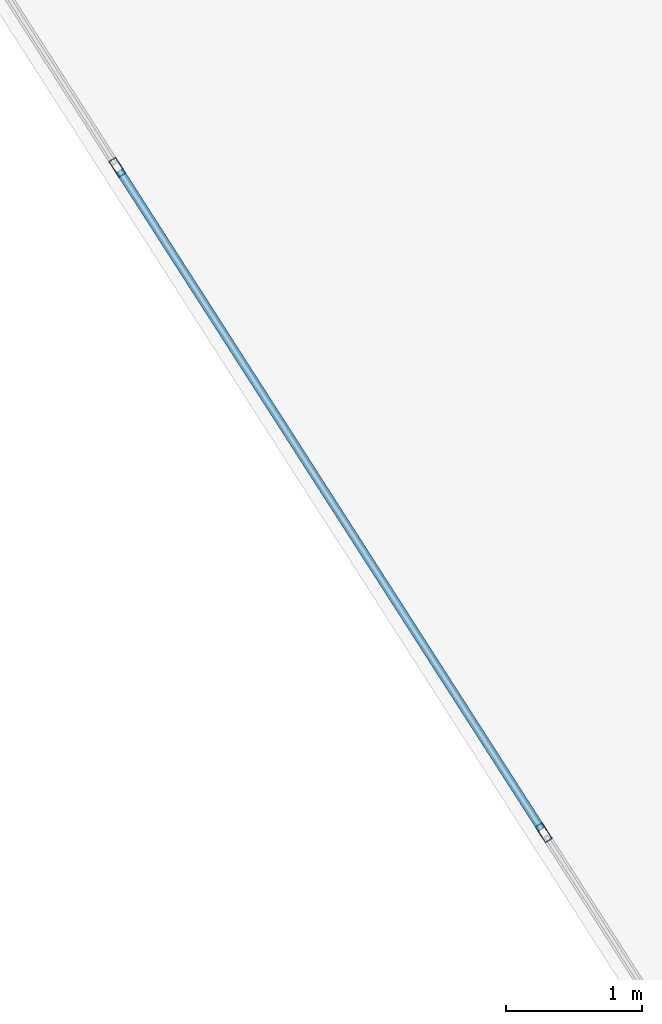
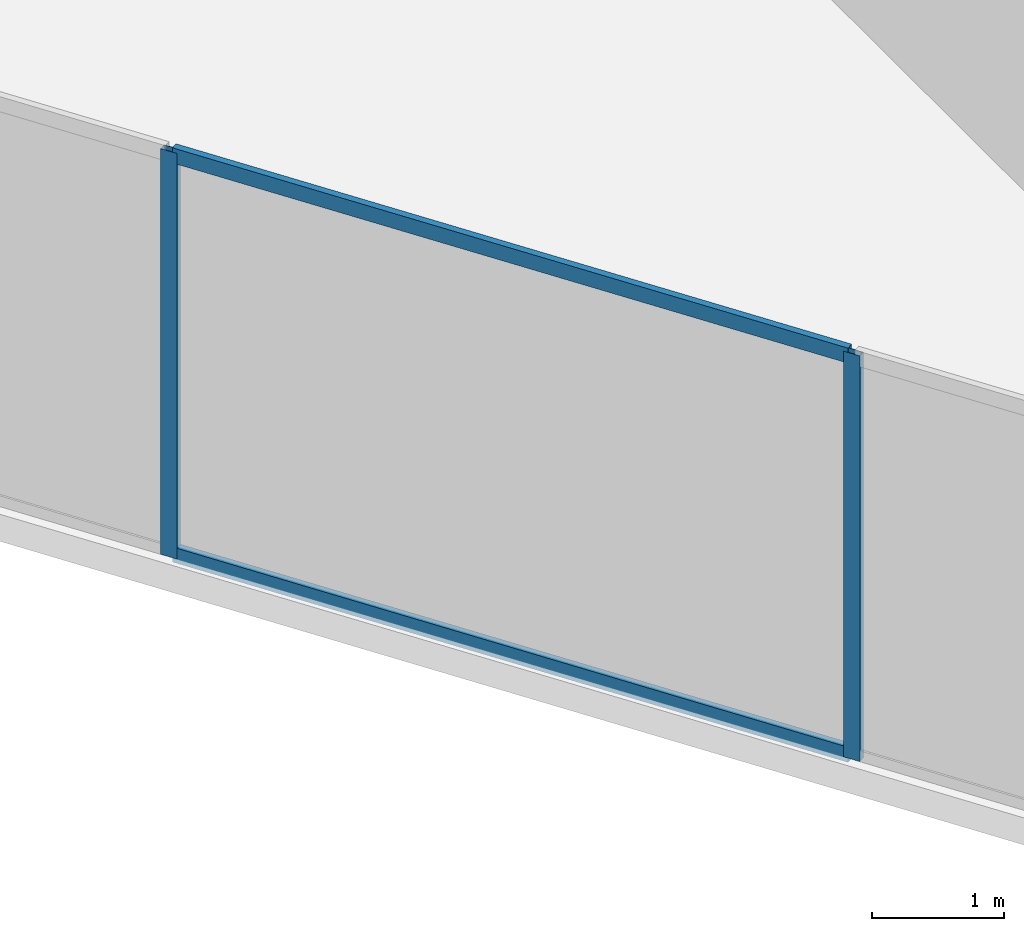
# One storey, part 17 of 26: 4 members, 1 element without a shape of its own.
"""IFC4 building model written with IfcOpenShell, lengths in metres."""

from ifc_helpers import new_model, si_unit, direction, frame, origin, origin_2d, place, context, subcontext, project, spatial, hollow_rectangle, extrude, material, layer, layer_set, material_profile, profile_set, type_object, element, aggregate, save


model = new_model("IFC4")

# Units and contexts
model_context = context("Model", 3, precision=1e-05, world=origin(), true_north=direction((0.0, 1.0)))
body_context = subcontext(model_context, "Body", "Model", "MODEL_VIEW")
ifc_project = project(units=[si_unit("LENGTHUNIT", "METRE"), si_unit("AREAUNIT", "SQUARE_METRE"), si_unit("VOLUMEUNIT", "CUBIC_METRE"), si_unit("PLANEANGLEUNIT", "RADIAN"), si_unit("MASSUNIT", "GRAM", prefix="KILO")], contexts=[model_context])

# Site, building, storey
site_placement = place(None, origin())
site = spatial("IfcSite", under=ifc_project, at=site_placement, CompositionType="ELEMENT")
building_placement = place(site_placement, origin())
building = spatial("IfcBuilding", under=site, at=building_placement, Name="Kravanh Interchange Tower", CompositionType="ELEMENT")
storey_placement = place(building_placement, frame((0.0, 0.0, 148.0)))
storey = spatial("IfcBuildingStorey", under=building, at=storey_placement, Name="L35", CompositionType="ELEMENT", Elevation=148.0)

# Curtain wall, members
ifc_material_1 = material(Name="Anodised Bronze Aluminium", Category="aluminium")
ifc_layer = layer(ifc_material_1, 0.179931640625)
ifc_layer_set = layer_set([ifc_layer], Name="Unitised Curtain Wall System CW-Z2 Mid Office")
curtain_wall_type = type_object("IfcCurtainWallType", Name="Unitised Curtain Wall System CW-Z2 Mid Office", PredefinedType="NOTDEFINED", material=ifc_layer_set)
curtain_wall_placement = place(storey_placement, origin())
curtain_wall = element("IfcCurtainWall", 1, at=curtain_wall_placement, inside=storey, type_object=curtain_wall_type, Name="L35 Unitised Curtain Wall CW-L35-04", PredefinedType="NOTDEFINED")
ifc_material_2 = material(Name="Anodised Bronze Aluminium", Category="aluminium")
ifc_material_profile_1 = material_profile(ifc_material_2, hollow_rectangle(XDim=0.06005859375, YDim=0.139892578125, WallThickness=0.00390625, at=origin_2d()), Name="ALU60X140X4")
ifc_profile_set_1 = profile_set([ifc_material_profile_1], Name="Anodised Bronze Aluminium")
member_type_1 = type_object("IfcMemberType", Name="Curtain Wall Mullion ALU60X140X4 Bronze", PredefinedType="MULLION", material=ifc_profile_set_1)
member_1_placement = place(storey_placement, frame((45.8828125, 16.12109375, 0.0), z_axis=(0.0, 0.0, 1.0), x_axis=(-0.841879939476, -0.539664865919, 0.0)))
member_1 = element("IfcMember", 2, at=member_1_placement, type_object=member_type_1, Name="CW-Z2 mullion 3", PredefinedType="MULLION", context=body_context, shape_type="SweptSolid", body=[
    extrude(hollow_rectangle(XDim=0.06005859375, YDim=0.139892578125, WallThickness=0.00390625, at=origin_2d()), origin(), (0.0, 0.0, 1.0), 3.75),
])
member_2_placement = place(storey_placement, frame((42.741455078125, 21.021728515625, 0.0), z_axis=(0.0, 0.0, 1.0), x_axis=(-0.841879939476, -0.539664865919, 0.0)))
member_2 = element("IfcMember", 3, at=member_2_placement, type_object=member_type_1, Name="CW-Z2 mullion 4", PredefinedType="MULLION", context=body_context, shape_type="SweptSolid", body=[
    extrude(hollow_rectangle(XDim=0.06005859375, YDim=0.139892578125, WallThickness=0.00390625, at=origin_2d()), origin(), (0.0, 0.0, 1.0), 3.75),
])
ifc_material_3 = material(Name="Anodised Bronze Aluminium", Category="aluminium")
ifc_material_profile_2 = material_profile(ifc_material_3, hollow_rectangle(XDim=0.06005859375, YDim=0.139892578125, WallThickness=0.00390625, at=origin_2d()), Name="ALU60X140X4")
ifc_profile_set_2 = profile_set([ifc_material_profile_2], Name="Anodised Bronze Aluminium")
member_type_2 = type_object("IfcMemberType", Name="Curtain Wall Transom ALU60X140X4 Bronze", PredefinedType="USERDEFINED", material=ifc_profile_set_2)
member_3_placement = place(storey_placement, frame((45.86669921875, 16.146484375, 0.030029296875), z_axis=(-0.539677666788, 0.84187173368, 0.0), x_axis=(-0.84187173368, -0.539677666788, 0.0)))
member_3 = element("IfcMember", 4, at=member_3_placement, type_object=member_type_2, Name="CW-Z2 transom 3.1", ObjectType="TRANSOM", PredefinedType="USERDEFINED", context=body_context, shape_type="SweptSolid", body=[
    extrude(hollow_rectangle(XDim=0.06005859375, YDim=0.139892578125, WallThickness=0.00390625, at=origin_2d()), origin(), (0.0, 0.0, 1.0), 5.760986328125),
])
member_4_placement = place(storey_placement, frame((45.86669921875, 16.146484375, 3.719970703125), z_axis=(-0.539677666788, 0.84187173368, 0.0), x_axis=(-0.84187173368, -0.539677666788, 0.0)))
member_4 = element("IfcMember", 5, at=member_4_placement, type_object=member_type_2, Name="CW-Z2 transom 3.2", ObjectType="TRANSOM", PredefinedType="USERDEFINED", context=body_context, shape_type="SweptSolid", body=[
    extrude(hollow_rectangle(XDim=0.06005859375, YDim=0.139892578125, WallThickness=0.00390625, at=origin_2d()), origin(), (0.0, 0.0, 1.0), 5.760986328125),
])
aggregate(curtain_wall, [member_1, member_2, member_3, member_4])

save(model, "model.ifc")
